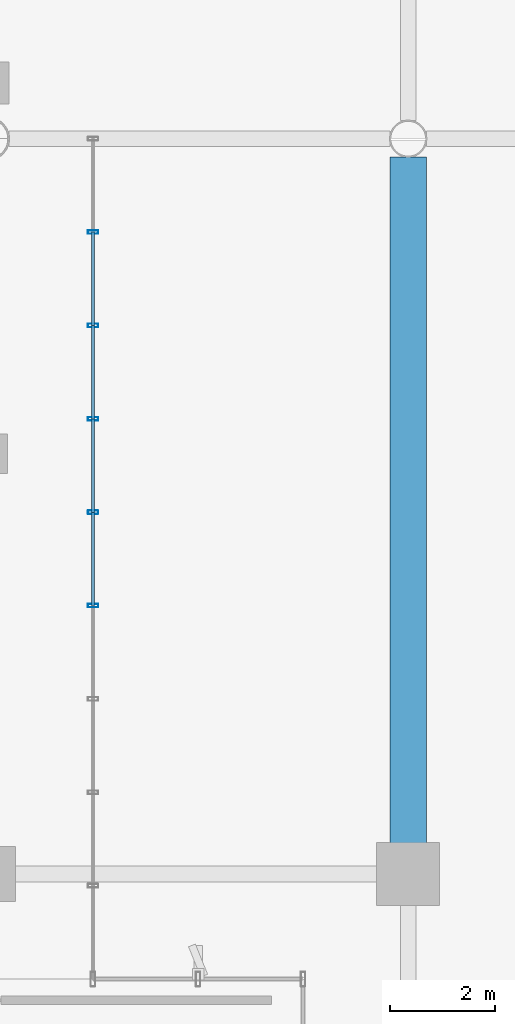
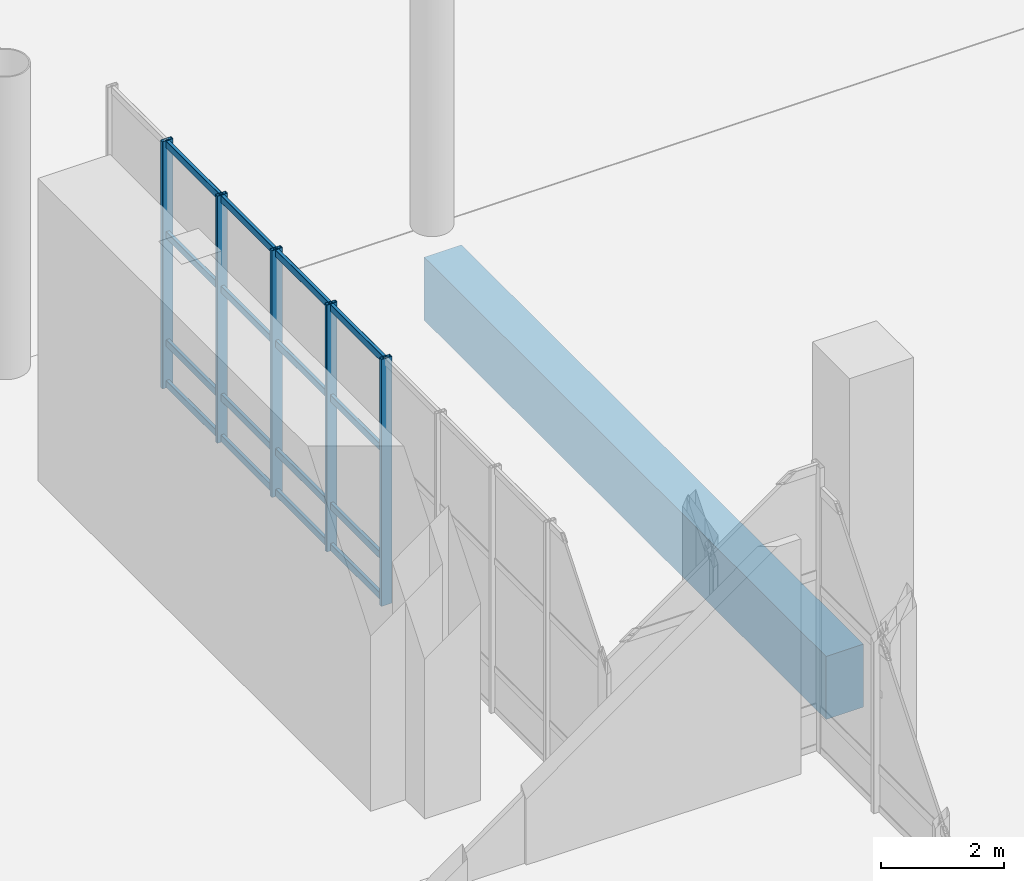
# One storey, part 99 of 163: 21 members, 1 beam, 1 element without a shape of its own.
"""IFC4 building model written with IfcOpenShell, lengths in metres."""

from ifc_helpers import new_model, si_unit, direction, frame, origin, origin_2d, place, context, subcontext, project, spatial, rectangle, hollow_rectangle, extrude, material, layer, layer_set, material_profile, profile_set, type_object, element, aggregate, save


model = new_model("IFC4")

# Units and contexts
model_context = context("Model", 3, precision=1e-05, world=origin(), true_north=direction((0.0, 1.0)))
body_context = subcontext(model_context, "Body", "Model", "MODEL_VIEW")
ifc_project = project(units=[si_unit("LENGTHUNIT", "METRE"), si_unit("AREAUNIT", "SQUARE_METRE"), si_unit("VOLUMEUNIT", "CUBIC_METRE"), si_unit("PLANEANGLEUNIT", "RADIAN"), si_unit("MASSUNIT", "GRAM", prefix="KILO")], contexts=[model_context])

# Site, building, storey
site_placement = place(None, origin())
site = spatial("IfcSite", under=ifc_project, at=site_placement, CompositionType="ELEMENT")
building_placement = place(site_placement, origin())
building = spatial("IfcBuilding", under=site, at=building_placement, Name="Khorjan Park Terminus", CompositionType="ELEMENT")
storey_placement = place(building_placement, origin())
storey = spatial("IfcBuildingStorey", under=building, at=storey_placement, Name="L00", CompositionType="ELEMENT", Elevation=0.0)

# Beam
ifc_material_1 = material(Name="Concrete C40/50", Category="concrete")
ifc_material_profile_1 = material_profile(ifc_material_1, rectangle(XDim=0.7, YDim=1.25, at=origin_2d()), Name="RC 700x1250")
ifc_profile_set_1 = profile_set([ifc_material_profile_1], Name="Concrete C40/50")
beam_type = type_object("IfcBeamType", Name="BM-RC700x1250", PredefinedType="BEAM", material=ifc_profile_set_1)
beam_placement = place(storey_placement, frame((136.0, 88.595, -0.945), z_axis=(0.0, 1.0, 0.0), x_axis=(-1.0, 0.0, 0.0)))
element("IfcBeam", 1, at=beam_placement, inside=storey, type_object=beam_type, Name="Primary floor girder GB-125 (L00)", PredefinedType="BEAM", context=body_context, shape_type="SweptSolid", body=[
    extrude(rectangle(XDim=0.7, YDim=1.25, at=origin_2d()), origin(), (0.0, 0.0, 1.0), 13.0545),
])

# Curtain wall, members
ifc_material_2 = material(Name="Anodized Bronze Aluminium", Category="aluminium")
ifc_layer = layer(ifc_material_2, 0.22)
ifc_layer_set = layer_set([ifc_layer], Name="Anodized Bronze Aluminium")
curtain_wall_type = type_object("IfcCurtainWallType", Name="CW-BRG-D", PredefinedType="NOTDEFINED", material=ifc_layer_set)
curtain_wall_placement = place(storey_placement, origin())
curtain_wall = element("IfcCurtainWall", 2, at=curtain_wall_placement, inside=storey, type_object=curtain_wall_type, Name="Unitized curtain wall CW-D (CW-NKE-E-L00)", PredefinedType="NOTDEFINED")
ifc_material_profile_2 = material_profile(ifc_material_2, hollow_rectangle(XDim=0.07, YDim=0.2, WallThickness=0.005, InnerFilletRadius=0.005, OuterFilletRadius=0.01, at=origin_2d()), Name="ALM 70x200x5")
ifc_profile_set_2 = profile_set([ifc_material_profile_2], Name="Anodized Bronze Aluminium")
member_type_1 = type_object("IfcMemberType", Name="ML-ALM-200", PredefinedType="MULLION", material=ifc_profile_set_2)
member_1_placement = place(storey_placement, frame((130.0, 93.1111, -0.035), z_axis=(0.0, 0.0, 1.0), x_axis=(0.0, 1.0, 0.0)))
member_1 = element("IfcMember", 3, at=member_1_placement, type_object=member_type_1, Name="Curtain-wall mullion ML-20 (CW-NKE-E-L00-4)", PredefinedType="MULLION", context=body_context, shape_type="SweptSolid", body=[
    extrude(hollow_rectangle(XDim=0.07, YDim=0.2, WallThickness=0.005, InnerFilletRadius=0.005, OuterFilletRadius=0.01, at=origin_2d()), origin(), (0.0, 0.0, 1.0), 4.895),
])
member_2_placement = place(storey_placement, frame((130.0, 94.8889, -0.035), z_axis=(0.0, 0.0, 1.0), x_axis=(0.0, 1.0, 0.0)))
member_2 = element("IfcMember", 4, at=member_2_placement, type_object=member_type_1, Name="Curtain-wall mullion ML-20 (CW-NKE-E-L00-5)", PredefinedType="MULLION", context=body_context, shape_type="SweptSolid", body=[
    extrude(hollow_rectangle(XDim=0.07, YDim=0.2, WallThickness=0.005, InnerFilletRadius=0.005, OuterFilletRadius=0.01, at=origin_2d()), origin(), (0.0, 0.0, 1.0), 4.895),
])
member_3_placement = place(storey_placement, frame((130.0, 96.6667, -0.035), z_axis=(0.0, 0.0, 1.0), x_axis=(0.0, 1.0, 0.0)))
member_3 = element("IfcMember", 5, at=member_3_placement, type_object=member_type_1, Name="Curtain-wall mullion ML-20 (CW-NKE-E-L00-6)", PredefinedType="MULLION", context=body_context, shape_type="SweptSolid", body=[
    extrude(hollow_rectangle(XDim=0.07, YDim=0.2, WallThickness=0.005, InnerFilletRadius=0.005, OuterFilletRadius=0.01, at=origin_2d()), origin(), (0.0, 0.0, 1.0), 4.895),
])
member_4_placement = place(storey_placement, frame((130.0, 98.4444, -0.035), z_axis=(0.0, 0.0, 1.0), x_axis=(0.0, 1.0, 0.0)))
member_4 = element("IfcMember", 6, at=member_4_placement, type_object=member_type_1, Name="Curtain-wall mullion ML-20 (CW-NKE-E-L00-7)", PredefinedType="MULLION", context=body_context, shape_type="SweptSolid", body=[
    extrude(hollow_rectangle(XDim=0.07, YDim=0.2, WallThickness=0.005, InnerFilletRadius=0.005, OuterFilletRadius=0.01, at=origin_2d()), origin(), (0.0, 0.0, 1.0), 4.895),
])
member_5_placement = place(storey_placement, frame((130.0, 100.2222, -0.035), z_axis=(0.0, 0.0, 1.0), x_axis=(0.0, 1.0, 0.0)))
member_5 = element("IfcMember", 7, at=member_5_placement, type_object=member_type_1, Name="Curtain-wall mullion ML-20 (CW-NKE-E-L00-8)", PredefinedType="MULLION", context=body_context, shape_type="SweptSolid", body=[
    extrude(hollow_rectangle(XDim=0.07, YDim=0.2, WallThickness=0.005, InnerFilletRadius=0.005, OuterFilletRadius=0.01, at=origin_2d()), origin(), (0.0, 0.0, 1.0), 4.895),
])
ifc_material_profile_3 = material_profile(ifc_material_2, hollow_rectangle(XDim=0.065, YDim=0.14, WallThickness=0.004, InnerFilletRadius=0.004, OuterFilletRadius=0.008, at=origin_2d()), Name="ALT 65x140x4")
ifc_profile_set_3 = profile_set([ifc_material_profile_3], Name="Anodized Bronze Aluminium")
member_type_2 = type_object("IfcMemberType", Name="TR-ALT-140", PredefinedType="USERDEFINED", material=ifc_profile_set_3)
member_6_placement = place(storey_placement, frame((130.0, 93.1111, 0.04), z_axis=(0.0, 1.0, 0.0), x_axis=(-1.0, 0.0, 0.0)))
member_6 = element("IfcMember", 8, at=member_6_placement, type_object=member_type_2, Name="Curtain-wall transom TR-14 (CW-NKE-E-L00-4-1)", ObjectType="TRANSOM", PredefinedType="USERDEFINED", context=body_context, shape_type="SweptSolid", body=[
    extrude(hollow_rectangle(XDim=0.065, YDim=0.14, WallThickness=0.004, InnerFilletRadius=0.004, OuterFilletRadius=0.008, at=origin_2d()), origin(), (0.0, 0.0, 1.0), 1.7778),
])
member_7_placement = place(storey_placement, frame((130.0, 93.1111, 0.85), z_axis=(0.0, 1.0, 0.0), x_axis=(-1.0, 0.0, 0.0)))
member_7 = element("IfcMember", 9, at=member_7_placement, type_object=member_type_2, Name="Curtain-wall transom TR-14 (CW-NKE-E-L00-4-2)", ObjectType="TRANSOM", PredefinedType="USERDEFINED", context=body_context, shape_type="SweptSolid", body=[
    extrude(hollow_rectangle(XDim=0.065, YDim=0.14, WallThickness=0.004, InnerFilletRadius=0.004, OuterFilletRadius=0.008, at=origin_2d()), origin(), (0.0, 0.0, 1.0), 1.7778),
])
member_8_placement = place(storey_placement, frame((130.0, 93.1111, 2.9915), z_axis=(0.0, 1.0, 0.0), x_axis=(-1.0, 0.0, 0.0)))
member_8 = element("IfcMember", 10, at=member_8_placement, type_object=member_type_2, Name="Curtain-wall transom TR-14 (CW-NKE-E-L00-4-3)", ObjectType="TRANSOM", PredefinedType="USERDEFINED", context=body_context, shape_type="SweptSolid", body=[
    extrude(hollow_rectangle(XDim=0.065, YDim=0.14, WallThickness=0.004, InnerFilletRadius=0.004, OuterFilletRadius=0.008, at=origin_2d()), origin(), (0.0, 0.0, 1.0), 1.7778),
])
member_9_placement = place(storey_placement, frame((130.0, 93.1111, 4.785), z_axis=(0.0, 1.0, 0.0), x_axis=(-1.0, 0.0, 0.0)))
member_9 = element("IfcMember", 11, at=member_9_placement, type_object=member_type_2, Name="Curtain-wall transom TR-14 (CW-NKE-E-L00-4-4)", ObjectType="TRANSOM", PredefinedType="USERDEFINED", context=body_context, shape_type="SweptSolid", body=[
    extrude(hollow_rectangle(XDim=0.065, YDim=0.14, WallThickness=0.004, InnerFilletRadius=0.004, OuterFilletRadius=0.008, at=origin_2d()), origin(), (0.0, 0.0, 1.0), 1.7778),
])
member_10_placement = place(storey_placement, frame((130.0, 94.8889, 0.04), z_axis=(0.0, 1.0, 0.0), x_axis=(-1.0, 0.0, 0.0)))
member_10 = element("IfcMember", 12, at=member_10_placement, type_object=member_type_2, Name="Curtain-wall transom TR-14 (CW-NKE-E-L00-5-1)", ObjectType="TRANSOM", PredefinedType="USERDEFINED", context=body_context, shape_type="SweptSolid", body=[
    extrude(hollow_rectangle(XDim=0.065, YDim=0.14, WallThickness=0.004, InnerFilletRadius=0.004, OuterFilletRadius=0.008, at=origin_2d()), origin(), (0.0, 0.0, 1.0), 1.7778),
])
member_11_placement = place(storey_placement, frame((130.0, 94.8889, 0.85), z_axis=(0.0, 1.0, 0.0), x_axis=(-1.0, 0.0, 0.0)))
member_11 = element("IfcMember", 13, at=member_11_placement, type_object=member_type_2, Name="Curtain-wall transom TR-14 (CW-NKE-E-L00-5-2)", ObjectType="TRANSOM", PredefinedType="USERDEFINED", context=body_context, shape_type="SweptSolid", body=[
    extrude(hollow_rectangle(XDim=0.065, YDim=0.14, WallThickness=0.004, InnerFilletRadius=0.004, OuterFilletRadius=0.008, at=origin_2d()), origin(), (0.0, 0.0, 1.0), 1.7778),
])
member_12_placement = place(storey_placement, frame((130.0, 94.8889, 2.9915), z_axis=(0.0, 1.0, 0.0), x_axis=(-1.0, 0.0, 0.0)))
member_12 = element("IfcMember", 14, at=member_12_placement, type_object=member_type_2, Name="Curtain-wall transom TR-14 (CW-NKE-E-L00-5-3)", ObjectType="TRANSOM", PredefinedType="USERDEFINED", context=body_context, shape_type="SweptSolid", body=[
    extrude(hollow_rectangle(XDim=0.065, YDim=0.14, WallThickness=0.004, InnerFilletRadius=0.004, OuterFilletRadius=0.008, at=origin_2d()), origin(), (0.0, 0.0, 1.0), 1.7778),
])
member_13_placement = place(storey_placement, frame((130.0, 94.8889, 4.785), z_axis=(0.0, 1.0, 0.0), x_axis=(-1.0, 0.0, 0.0)))
member_13 = element("IfcMember", 15, at=member_13_placement, type_object=member_type_2, Name="Curtain-wall transom TR-14 (CW-NKE-E-L00-5-4)", ObjectType="TRANSOM", PredefinedType="USERDEFINED", context=body_context, shape_type="SweptSolid", body=[
    extrude(hollow_rectangle(XDim=0.065, YDim=0.14, WallThickness=0.004, InnerFilletRadius=0.004, OuterFilletRadius=0.008, at=origin_2d()), origin(), (0.0, 0.0, 1.0), 1.7778),
])
member_14_placement = place(storey_placement, frame((130.0, 96.6667, 0.04), z_axis=(0.0, 1.0, 0.0), x_axis=(-1.0, 0.0, 0.0)))
member_14 = element("IfcMember", 16, at=member_14_placement, type_object=member_type_2, Name="Curtain-wall transom TR-14 (CW-NKE-E-L00-6-1)", ObjectType="TRANSOM", PredefinedType="USERDEFINED", context=body_context, shape_type="SweptSolid", body=[
    extrude(hollow_rectangle(XDim=0.065, YDim=0.14, WallThickness=0.004, InnerFilletRadius=0.004, OuterFilletRadius=0.008, at=origin_2d()), origin(), (0.0, 0.0, 1.0), 1.7777),
])
member_15_placement = place(storey_placement, frame((130.0, 96.6667, 0.85), z_axis=(0.0, 1.0, 0.0), x_axis=(-1.0, 0.0, 0.0)))
member_15 = element("IfcMember", 17, at=member_15_placement, type_object=member_type_2, Name="Curtain-wall transom TR-14 (CW-NKE-E-L00-6-2)", ObjectType="TRANSOM", PredefinedType="USERDEFINED", context=body_context, shape_type="SweptSolid", body=[
    extrude(hollow_rectangle(XDim=0.065, YDim=0.14, WallThickness=0.004, InnerFilletRadius=0.004, OuterFilletRadius=0.008, at=origin_2d()), origin(), (0.0, 0.0, 1.0), 1.7777),
])
member_16_placement = place(storey_placement, frame((130.0, 96.6667, 2.9915), z_axis=(0.0, 1.0, 0.0), x_axis=(-1.0, 0.0, 0.0)))
member_16 = element("IfcMember", 18, at=member_16_placement, type_object=member_type_2, Name="Curtain-wall transom TR-14 (CW-NKE-E-L00-6-3)", ObjectType="TRANSOM", PredefinedType="USERDEFINED", context=body_context, shape_type="SweptSolid", body=[
    extrude(hollow_rectangle(XDim=0.065, YDim=0.14, WallThickness=0.004, InnerFilletRadius=0.004, OuterFilletRadius=0.008, at=origin_2d()), origin(), (0.0, 0.0, 1.0), 1.7777),
])
member_17_placement = place(storey_placement, frame((130.0, 96.6667, 4.785), z_axis=(0.0, 1.0, 0.0), x_axis=(-1.0, 0.0, 0.0)))
member_17 = element("IfcMember", 19, at=member_17_placement, type_object=member_type_2, Name="Curtain-wall transom TR-14 (CW-NKE-E-L00-6-4)", ObjectType="TRANSOM", PredefinedType="USERDEFINED", context=body_context, shape_type="SweptSolid", body=[
    extrude(hollow_rectangle(XDim=0.065, YDim=0.14, WallThickness=0.004, InnerFilletRadius=0.004, OuterFilletRadius=0.008, at=origin_2d()), origin(), (0.0, 0.0, 1.0), 1.7777),
])
member_18_placement = place(storey_placement, frame((130.0, 98.4444, 0.04), z_axis=(0.0, 1.0, 0.0), x_axis=(-1.0, 0.0, 0.0)))
member_18 = element("IfcMember", 20, at=member_18_placement, type_object=member_type_2, Name="Curtain-wall transom TR-14 (CW-NKE-E-L00-7-1)", ObjectType="TRANSOM", PredefinedType="USERDEFINED", context=body_context, shape_type="SweptSolid", body=[
    extrude(hollow_rectangle(XDim=0.065, YDim=0.14, WallThickness=0.004, InnerFilletRadius=0.004, OuterFilletRadius=0.008, at=origin_2d()), origin(), (0.0, 0.0, 1.0), 1.7778),
])
member_19_placement = place(storey_placement, frame((130.0, 98.4444, 0.85), z_axis=(0.0, 1.0, 0.0), x_axis=(-1.0, 0.0, 0.0)))
member_19 = element("IfcMember", 21, at=member_19_placement, type_object=member_type_2, Name="Curtain-wall transom TR-14 (CW-NKE-E-L00-7-2)", ObjectType="TRANSOM", PredefinedType="USERDEFINED", context=body_context, shape_type="SweptSolid", body=[
    extrude(hollow_rectangle(XDim=0.065, YDim=0.14, WallThickness=0.004, InnerFilletRadius=0.004, OuterFilletRadius=0.008, at=origin_2d()), origin(), (0.0, 0.0, 1.0), 1.7778),
])
member_20_placement = place(storey_placement, frame((130.0, 98.4444, 2.9915), z_axis=(0.0, 1.0, 0.0), x_axis=(-1.0, 0.0, 0.0)))
member_20 = element("IfcMember", 22, at=member_20_placement, type_object=member_type_2, Name="Curtain-wall transom TR-14 (CW-NKE-E-L00-7-3)", ObjectType="TRANSOM", PredefinedType="USERDEFINED", context=body_context, shape_type="SweptSolid", body=[
    extrude(hollow_rectangle(XDim=0.065, YDim=0.14, WallThickness=0.004, InnerFilletRadius=0.004, OuterFilletRadius=0.008, at=origin_2d()), origin(), (0.0, 0.0, 1.0), 1.7778),
])
member_21_placement = place(storey_placement, frame((130.0, 98.4444, 4.785), z_axis=(0.0, 1.0, 0.0), x_axis=(-1.0, 0.0, 0.0)))
member_21 = element("IfcMember", 23, at=member_21_placement, type_object=member_type_2, Name="Curtain-wall transom TR-14 (CW-NKE-E-L00-7-4)", ObjectType="TRANSOM", PredefinedType="USERDEFINED", context=body_context, shape_type="SweptSolid", body=[
    extrude(hollow_rectangle(XDim=0.065, YDim=0.14, WallThickness=0.004, InnerFilletRadius=0.004, OuterFilletRadius=0.008, at=origin_2d()), origin(), (0.0, 0.0, 1.0), 1.7778),
])
aggregate(curtain_wall, [member_1, member_2, member_3, member_4, member_5, member_6, member_7, member_8, member_9, member_10, member_11, member_12, member_13, member_14, member_15, member_16, member_17, member_18, member_19, member_20, member_21])

save(model, "model.ifc")
